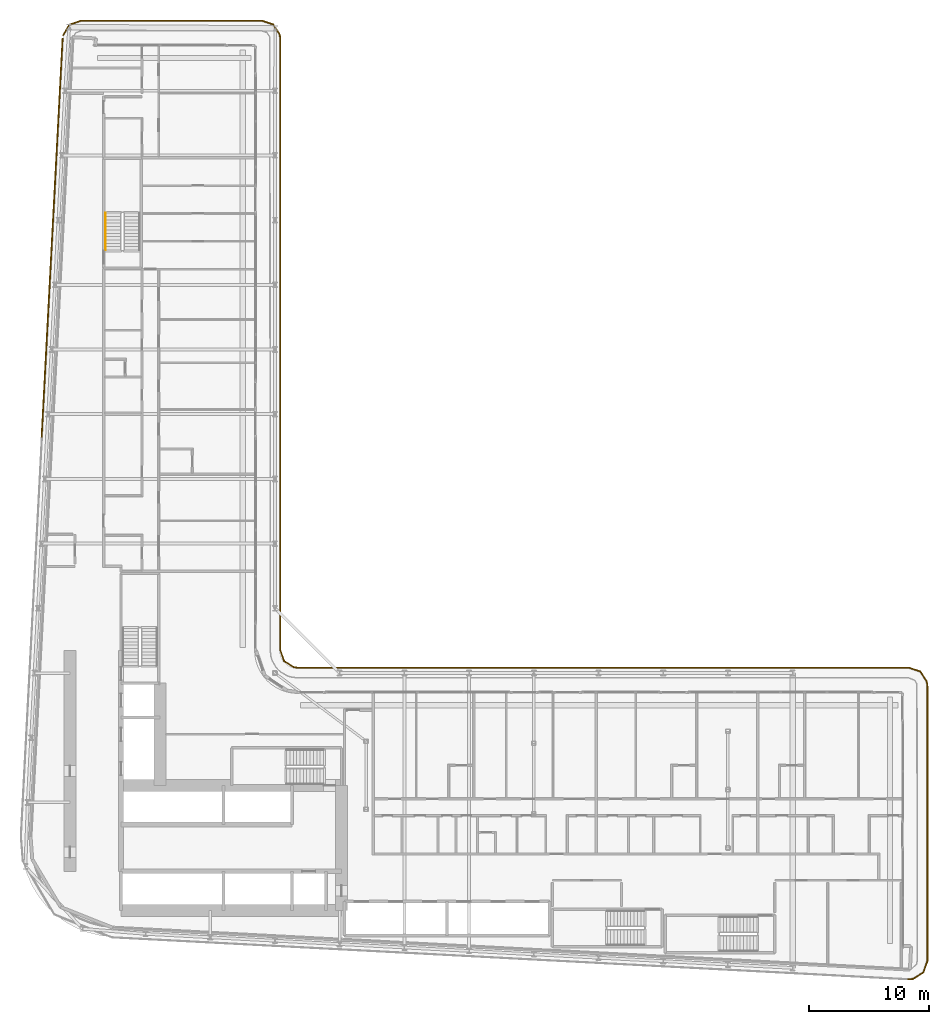
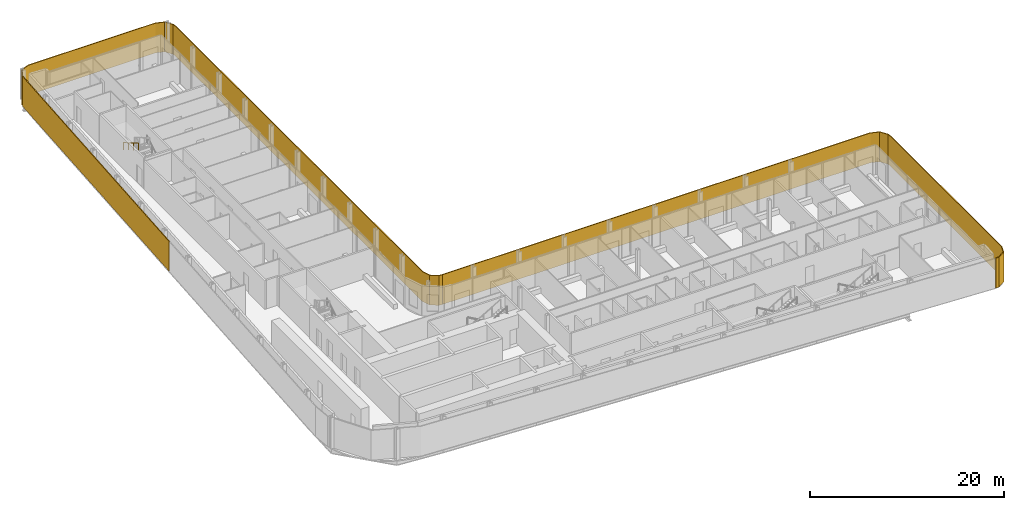
# One storey, part 27 of 29: 3 shading devices, 1 railing.
"""IFC4 building model written with IfcOpenShell, lengths in metres."""

from ifc_helpers import new_model, si_unit, direction, frame, origin, origin_2d, place, context, subcontext, project, spatial, polyline, rectangle, circle, outline, extrude, material, layer, layer_set, type_object, element, save


model = new_model("IFC4")

# Units and contexts
model_context = context("Model", 3, precision=1e-05, world=origin(), true_north=direction((0.0, 1.0)))
body_context = subcontext(model_context, "Body", "Model", "MODEL_VIEW")
ifc_project = project(units=[si_unit("LENGTHUNIT", "METRE"), si_unit("AREAUNIT", "SQUARE_METRE"), si_unit("VOLUMEUNIT", "CUBIC_METRE"), si_unit("PLANEANGLEUNIT", "RADIAN"), si_unit("MASSUNIT", "GRAM", prefix="KILO")], contexts=[model_context])

# Site, building, storey
site_placement = place(None, origin())
site = spatial("IfcSite", under=ifc_project, at=site_placement, CompositionType="ELEMENT")
building_placement = place(site_placement, origin())
building = spatial("IfcBuilding", under=site, at=building_placement, Name="Kheshtan School and Residences Tower", CompositionType="ELEMENT")
storey_placement = place(building_placement, frame((0.0, 0.0, 65.60009765625)))
storey = spatial("IfcBuildingStorey", under=building, at=storey_placement, Name="L15", CompositionType="ELEMENT", Elevation=65.60009765625)

# Shading devices
ifc_material_1 = material(Name="Terracotta baguette, extruded ceramic", Category="masonry")
ifc_layer_1 = layer(ifc_material_1, 0.10009765625)
ifc_layer_set_1 = layer_set([ifc_layer_1], Name="Ledge screen, terracotta baguettes")
shading_device_type_1 = type_object("IfcShadingDeviceType", Name="Ledge screen, terracotta baguettes", PredefinedType="USERDEFINED", material=ifc_layer_set_1)
shading_device_1_placement = place(storey_placement, frame((28.9990234375, 81.93408203125, 0.0), z_axis=(0.0, 0.0, 1.0), x_axis=(0.052562536748, 0.998617634398, 0.0)))
element("IfcShadingDevice", 1, at=shading_device_1_placement, inside=storey, type_object=shading_device_type_1, Name="Screen L15 5", ObjectType="BAGUETTE", PredefinedType="USERDEFINED", context=body_context, shape_type="SweptSolid", body=[
    extrude(rectangle(XDim=33.341064453125, YDim=0.10009765625, at=origin_2d()), origin(), (0.0, 0.0, 1.0), 3.75),
])
ifc_material_2 = material(Name="Terracotta lattice, extruded ceramic", Category="masonry")
ifc_layer_2 = layer(ifc_material_2, 0.10009765625)
ifc_layer_set_2 = layer_set([ifc_layer_2], Name="Loggia screen, terracotta lattice")
shading_device_type_2 = type_object("IfcShadingDeviceType", Name="Loggia screen, terracotta lattice", PredefinedType="USERDEFINED", material=ifc_layer_set_2)
shading_device_2_placement = place(storey_placement, origin())
element("IfcShadingDevice", 2, at=shading_device_2_placement, inside=storey, type_object=shading_device_type_2, Name="Screen L15 1", ObjectType="SCREEN", PredefinedType="USERDEFINED", context=body_context, shape_type="SweptSolid", body=[
    extrude(outline(polyline([(29.949951171875, 98.783935546875), (30.468017578125, 99.656982421875), (31.423095703125, 100.0), (46.5, 100.0), (47.4130859375, 99.68994140625), (47.948974609375, 98.887939453125), (48.0, 98.5), (48.0, 47.5), (48.31005859375, 46.5869140625), (49.112060546875, 46.051025390625), (49.5, 46.0), (49.512939453125, 46.09912109375), (49.14794921875, 46.14697265625), (48.39404296875, 46.65087890625), (48.10009765625, 47.51708984375), (48.10009765625, 98.507080078125), (48.044921875, 98.924072265625), (47.47705078125, 99.77392578125), (46.51708984375, 100.10009765625), (31.406005859375, 100.10009765625), (30.39990234375, 99.739013671875), (29.864013671875, 98.8349609375), (29.949951171875, 98.783935546875)])), origin(), (0.0, 0.0, 1.0), 3.75),
])
shading_device_3_placement = place(storey_placement, origin())
element("IfcShadingDevice", 3, at=shading_device_3_placement, inside=storey, type_object=shading_device_type_2, Name="Screen L15 2", ObjectType="SCREEN", PredefinedType="USERDEFINED", context=body_context, shape_type="SweptSolid", body=[
    extrude(outline(polyline([(49.5, 46.0), (100.5, 46.0), (101.4130859375, 45.68994140625), (101.948974609375, 44.887939453125), (102.0, 44.5), (102.0, 21.5810546875), (101.669921875, 20.64208984375), (100.823974609375, 20.116943359375), (100.4208984375, 20.0830078125), (100.428955078125, 19.98291015625), (100.85595703125, 20.01904296875), (101.7529296875, 20.575927734375), (102.10009765625, 21.56396484375), (102.10009765625, 44.507080078125), (102.044921875, 44.924072265625), (101.47705078125, 45.77392578125), (100.51708984375, 46.10009765625), (49.5, 46.10009765625), (49.5, 46.0)])), origin(), (0.0, 0.0, 1.0), 3.75),
])

# Railing
ifc_material_3 = material(Name="Stainless steel handrail", Category="steel")
railing_type = type_object("IfcRailingType", Name="Stair handrail 900", PredefinedType="HANDRAIL", material=ifc_material_3)
railing_placement = place(storey_placement, frame((33.449951171875, 83.97998046875, 2.1123046875)))
element("IfcRailing", 4, at=railing_placement, inside=storey, type_object=railing_type, Name="L15 ST3 stair handrail 2", PredefinedType="HANDRAIL", context=body_context, shape_type="SweptSolid", body=[
    extrude(circle(Radius=0.02392578125, at=origin_2d()), frame((0.0, 0.0, 0.8759765625), z_axis=(0.0, -0.864890721111, 0.501960198159), x_axis=(1.0, 0.0, 0.0)), (0.0, 0.0, 1.0), 3.561279296875),
    extrude(circle(Radius=0.02099609375, at=origin_2d()), origin(), (0.0, 0.0, 1.0), 0.851806640625),
    extrude(circle(Radius=0.02099609375, at=origin_2d()), frame((0.0, -1.026611328125, 0.595947265625)), (0.0, 0.0, 1.0), 0.851806640625),
    extrude(circle(Radius=0.02099609375, at=origin_2d()), frame((0.0, -2.053466796875, 1.191650390625)), (0.0, 0.0, 1.0), 0.851806640625),
    extrude(circle(Radius=0.02099609375, at=origin_2d()), frame((0.0, -3.080078125, 1.78759765625)), (0.0, 0.0, 1.0), 0.851806640625),
])

save(model, "model.ifc")
